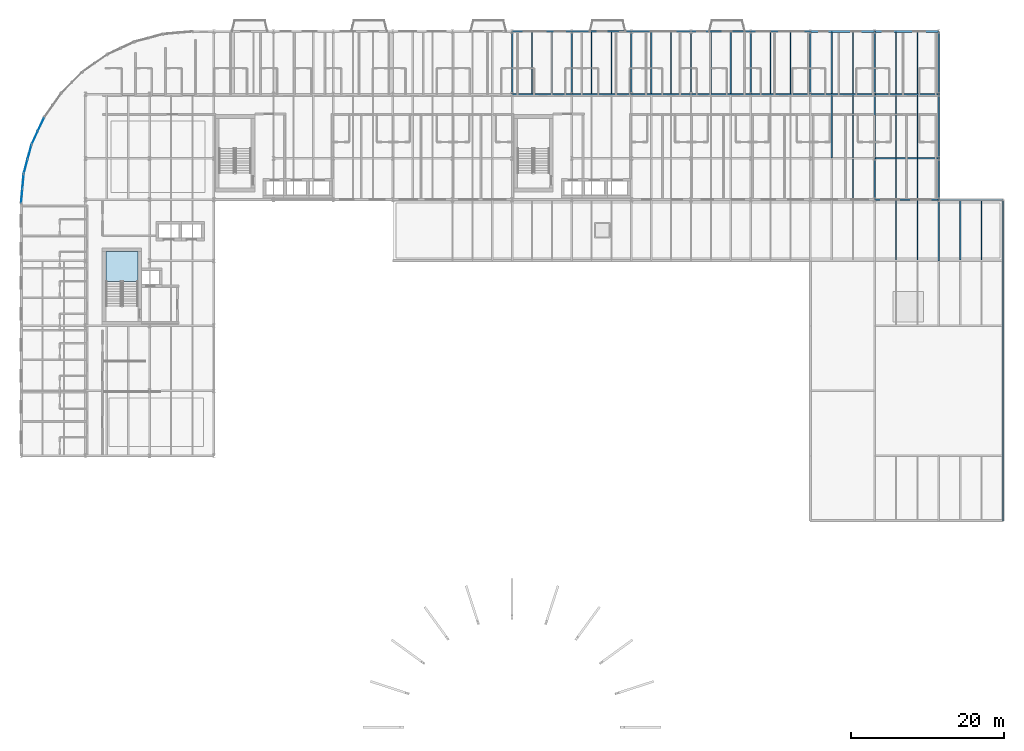
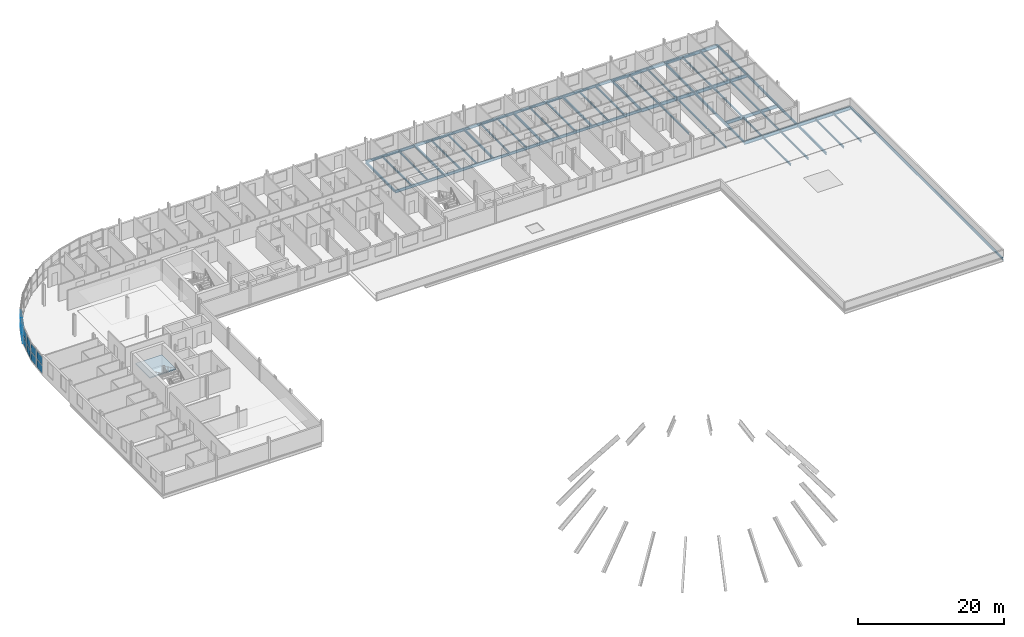
# One storey, part 14 of 36: 60 beams, 12 plates, 1 slab, 4 elements without a shape of their own.
"""IFC4 building model written with IfcOpenShell, lengths in metres."""

from ifc_helpers import new_model, si_unit, direction, frame, origin, origin_2d, place, context, subcontext, project, spatial, polyline, rectangle, i_section, outline, extrude, material, layer, layer_set, material_profile, profile_set, type_object, element, aggregate, save


model = new_model("IFC4")

# Units and contexts
model_context = context("Model", 3, precision=1e-05, world=origin(), true_north=direction((0.0, 1.0)))
body_context = subcontext(model_context, "Body", "Model", "MODEL_VIEW")
ifc_project = project(units=[si_unit("LENGTHUNIT", "METRE"), si_unit("AREAUNIT", "SQUARE_METRE"), si_unit("VOLUMEUNIT", "CUBIC_METRE"), si_unit("PLANEANGLEUNIT", "RADIAN"), si_unit("MASSUNIT", "GRAM", prefix="KILO")], contexts=[model_context])

# Site, building, storey
site_placement = place(None, origin())
site = spatial("IfcSite", under=ifc_project, at=site_placement, CompositionType="ELEMENT")
building_placement = place(site_placement, origin())
building = spatial("IfcBuilding", under=site, at=building_placement, Name="Sefraquen Railside Congress Hotel", CompositionType="ELEMENT")
storey_placement = place(building_placement, frame((0.0, 0.0, 24.60009765625)))
storey = spatial("IfcBuildingStorey", under=building, at=storey_placement, Name="L05", CompositionType="ELEMENT", Elevation=24.60009765625)

# Beams
ifc_material_1 = material(Name="Steel S355JR", Category="steel")
ifc_material_profile_1 = material_profile(ifc_material_1, i_section(OverallWidth=0.179931640625, OverallDepth=0.39990234375, WebThickness=0.008544921875, FlangeThickness=0.013427734375, FilletRadius=0.02099609375, at=origin_2d()), Name="IPE 400")
ifc_profile_set_1 = profile_set([ifc_material_profile_1], Name="Steel S355JR")
beam_type_1 = type_object("IfcBeamType", Name="TB-BM-400I", PredefinedType="BEAM", material=ifc_profile_set_1)
for number, where, z_axis, x_axis, name in (
    (1, (64.199951171875, 109.800048828125, -0.460205078125), (0.0, 1.0, 0.0), (-1.0, 0.0, 0.0), "Floor beam BM-L05-1542"),
    (2, (72.0, 109.800048828125, -0.460205078125), (0.0, 1.0, 0.0), (-1.0, 0.0, 0.0), "Floor beam BM-L05-1546"),
    (3, (79.800048828125, 109.800048828125, -0.460205078125), (0.0, 1.0, 0.0), (-1.0, 0.0, 0.0), "Floor beam BM-L05-1550"),
    (4, (87.60009765625, 109.800048828125, -0.460205078125), (0.0, 1.0, 0.0), (-1.0, 0.0, 0.0), "Floor beam BM-L05-1554"),
    (5, (95.39990234375, 109.800048828125, -0.460205078125), (0.0, 1.0, 0.0), (-1.0, 0.0, 0.0), "Floor beam BM-L05-1558"),
    (6, (103.199951171875, 109.800048828125, -0.460205078125), (0.0, 1.0, 0.0), (-1.0, 0.0, 0.0), "Floor beam BM-L05-1566"),
):
    element("IfcBeam", number, at=place(storey_placement, frame(where, z_axis=z_axis, x_axis=x_axis)), inside=storey, type_object=beam_type_1, Name=name, PredefinedType="BEAM", context=body_context, shape_type="SweptSolid", body=[
        extrude(i_section(OverallWidth=0.179931640625, OverallDepth=0.39990234375, WebThickness=0.008544921875, FlangeThickness=0.013427734375, FilletRadius=0.02099609375, at=origin_2d()), origin(), (0.0, 0.0, 1.0), 8.199951171875),
    ])
beam_1_placement = place(storey_placement, frame((111.60009765625, 96.0, -0.460205078125), z_axis=(0.0, 1.0, 0.0), x_axis=(-1.0, 0.0, 0.0)))
element("IfcBeam", 7, at=beam_1_placement, inside=storey, type_object=beam_type_1, Name="Floor beam BM-L05-1572", PredefinedType="BEAM", context=body_context, shape_type="SweptSolid", body=[
    extrude(i_section(OverallWidth=0.179931640625, OverallDepth=0.39990234375, WebThickness=0.008544921875, FlangeThickness=0.013427734375, FilletRadius=0.02099609375, at=origin_2d()), origin(), (0.0, 0.0, 1.0), 5.39990234375),
])
beam_2_placement = place(storey_placement, frame((111.60009765625, 101.39990234375, -0.460205078125), z_axis=(0.0, 1.0, 0.0), x_axis=(-1.0, 0.0, 0.0)))
element("IfcBeam", 8, at=beam_2_placement, inside=storey, type_object=beam_type_1, Name="Floor beam BM-L05-1573", PredefinedType="BEAM", context=body_context, shape_type="SweptSolid", body=[
    extrude(i_section(OverallWidth=0.179931640625, OverallDepth=0.39990234375, WebThickness=0.008544921875, FlangeThickness=0.013427734375, FilletRadius=0.02099609375, at=origin_2d()), origin(), (0.0, 0.0, 1.0), 8.400146484375),
])
beam_3_placement = place(storey_placement, frame((111.60009765625, 109.800048828125, -0.460205078125), z_axis=(0.0, 1.0, 0.0), x_axis=(-1.0, 0.0, 0.0)))
element("IfcBeam", 9, at=beam_3_placement, inside=storey, type_object=beam_type_1, Name="Floor beam BM-L05-1574", PredefinedType="BEAM", context=body_context, shape_type="SweptSolid", body=[
    extrude(i_section(OverallWidth=0.179931640625, OverallDepth=0.39990234375, WebThickness=0.008544921875, FlangeThickness=0.013427734375, FilletRadius=0.02099609375, at=origin_2d()), origin(), (0.0, 0.0, 1.0), 8.199951171875),
])
beam_4_placement = place(storey_placement, frame((120.0, 88.0, -0.460205078125), z_axis=(0.0, 1.0, 0.0), x_axis=(-1.0, 0.0, 0.0)))
element("IfcBeam", 10, at=beam_4_placement, inside=storey, type_object=beam_type_1, Name="Floor beam BM-L05-1577", PredefinedType="BEAM", context=body_context, shape_type="SweptSolid", body=[
    extrude(i_section(OverallWidth=0.179931640625, OverallDepth=0.39990234375, WebThickness=0.008544921875, FlangeThickness=0.013427734375, FilletRadius=0.02099609375, at=origin_2d()), origin(), (0.0, 0.0, 1.0), 8.0),
])
beam_5_placement = place(storey_placement, frame((120.0, 96.0, -0.460205078125), z_axis=(0.0, 1.0, 0.0), x_axis=(-1.0, 0.0, 0.0)))
element("IfcBeam", 11, at=beam_5_placement, inside=storey, type_object=beam_type_1, Name="Floor beam BM-L05-1578", PredefinedType="BEAM", context=body_context, shape_type="SweptSolid", body=[
    extrude(i_section(OverallWidth=0.179931640625, OverallDepth=0.39990234375, WebThickness=0.008544921875, FlangeThickness=0.013427734375, FilletRadius=0.02099609375, at=origin_2d()), origin(), (0.0, 0.0, 1.0), 5.39990234375),
])
beam_6_placement = place(storey_placement, frame((120.0, 101.39990234375, -0.460205078125), z_axis=(0.0, 1.0, 0.0), x_axis=(-1.0, 0.0, 0.0)))
element("IfcBeam", 12, at=beam_6_placement, inside=storey, type_object=beam_type_1, Name="Floor beam BM-L05-1579", PredefinedType="BEAM", context=body_context, shape_type="SweptSolid", body=[
    extrude(i_section(OverallWidth=0.179931640625, OverallDepth=0.39990234375, WebThickness=0.008544921875, FlangeThickness=0.013427734375, FilletRadius=0.02099609375, at=origin_2d()), origin(), (0.0, 0.0, 1.0), 8.400146484375),
])
beam_7_placement = place(storey_placement, frame((120.0, 109.800048828125, -0.460205078125), z_axis=(0.0, 1.0, 0.0), x_axis=(-1.0, 0.0, 0.0)))
element("IfcBeam", 13, at=beam_7_placement, inside=storey, type_object=beam_type_1, Name="Floor beam BM-L05-1580", PredefinedType="BEAM", context=body_context, shape_type="SweptSolid", body=[
    extrude(i_section(OverallWidth=0.179931640625, OverallDepth=0.39990234375, WebThickness=0.008544921875, FlangeThickness=0.013427734375, FilletRadius=0.02099609375, at=origin_2d()), origin(), (0.0, 0.0, 1.0), 8.199951171875),
])
for number, where, z_axis, x_axis, name in (
    (14, (128.39990234375, 54.0, -0.460205078125), (0.0, 1.0, 0.0), (-1.0, 0.0, 0.0), "Floor beam BM-L05-1581"),
    (15, (128.39990234375, 62.5, -0.460205078125), (0.0, 1.0, 0.0), (-1.0, 0.0, 0.0), "Floor beam BM-L05-1582"),
    (16, (128.39990234375, 71.0, -0.460205078125), (0.0, 1.0, 0.0), (-1.0, 0.0, 0.0), "Floor beam BM-L05-1583"),
    (17, (128.39990234375, 79.5, -0.460205078125), (0.0, 1.0, 0.0), (-1.0, 0.0, 0.0), "Floor beam BM-L05-1584"),
):
    element("IfcBeam", number, at=place(storey_placement, frame(where, z_axis=z_axis, x_axis=x_axis)), inside=storey, type_object=beam_type_1, Name=name, PredefinedType="BEAM", context=body_context, shape_type="SweptSolid", body=[
        extrude(i_section(OverallWidth=0.179931640625, OverallDepth=0.39990234375, WebThickness=0.008544921875, FlangeThickness=0.013427734375, FilletRadius=0.02099609375, at=origin_2d()), origin(), (0.0, 0.0, 1.0), 8.5),
    ])
beam_8_placement = place(storey_placement, frame((128.39990234375, 88.0, -0.460205078125), z_axis=(0.0, 1.0, 0.0), x_axis=(-1.0, 0.0, 0.0)))
element("IfcBeam", 18, at=beam_8_placement, inside=storey, type_object=beam_type_1, Name="Floor beam BM-L05-1585", PredefinedType="BEAM", context=body_context, shape_type="SweptSolid", body=[
    extrude(i_section(OverallWidth=0.179931640625, OverallDepth=0.39990234375, WebThickness=0.008544921875, FlangeThickness=0.013427734375, FilletRadius=0.02099609375, at=origin_2d()), origin(), (0.0, 0.0, 1.0), 8.0),
])
ifc_material_profile_2 = material_profile(ifc_material_1, i_section(OverallWidth=0.18994140625, OverallDepth=0.449951171875, WebThickness=0.009521484375, FlangeThickness=0.0146484375, FilletRadius=0.02099609375, at=origin_2d()), Name="IPE 450")
ifc_profile_set_2 = profile_set([ifc_material_profile_2], Name="Steel S355JR")
beam_type_2 = type_object("IfcBeamType", Name="TB-BM-450", PredefinedType="BEAM", material=ifc_profile_set_2)
for number, where, z_axis, x_axis, name in (
    (19, (64.199951171875, 109.800048828125, -0.485107421875), (1.0, 0.0, 0.0), (0.0, 1.0, 0.0), "Primary girder BM-L05-1485"),
    (20, (72.0, 109.800048828125, -0.485107421875), (1.0, 0.0, 0.0), (0.0, 1.0, 0.0), "Primary girder BM-L05-1486"),
    (21, (79.800048828125, 109.800048828125, -0.485107421875), (1.0, 0.0, 0.0), (0.0, 1.0, 0.0), "Primary girder BM-L05-1487"),
):
    element("IfcBeam", number, at=place(storey_placement, frame(where, z_axis=z_axis, x_axis=x_axis)), inside=storey, type_object=beam_type_2, Name=name, PredefinedType="BEAM", context=body_context, shape_type="SweptSolid", body=[
        extrude(i_section(OverallWidth=0.18994140625, OverallDepth=0.449951171875, WebThickness=0.009521484375, FlangeThickness=0.0146484375, FilletRadius=0.02099609375, at=origin_2d()), origin(), (0.0, 0.0, 1.0), 7.800048828125),
    ])
beam_9_placement = place(storey_placement, frame((87.60009765625, 109.800048828125, -0.485107421875), z_axis=(1.0, 0.0, 0.0), x_axis=(0.0, 1.0, 0.0)))
element("IfcBeam", 22, at=beam_9_placement, inside=storey, type_object=beam_type_2, Name="Primary girder BM-L05-1488", PredefinedType="BEAM", context=body_context, shape_type="SweptSolid", body=[
    extrude(i_section(OverallWidth=0.18994140625, OverallDepth=0.449951171875, WebThickness=0.009521484375, FlangeThickness=0.0146484375, FilletRadius=0.02099609375, at=origin_2d()), origin(), (0.0, 0.0, 1.0), 7.7998046875),
])
for number, where, z_axis, x_axis, name in (
    (23, (95.39990234375, 109.800048828125, -0.485107421875), (1.0, 0.0, 0.0), (0.0, 1.0, 0.0), "Primary girder BM-L05-1489"),
    (24, (64.199951171875, 118.0, -0.485107421875), (1.0, 0.0, 0.0), (0.0, 1.0, 0.0), "Primary girder BM-L05-1497"),
    (25, (72.0, 118.0, -0.485107421875), (1.0, 0.0, 0.0), (0.0, 1.0, 0.0), "Primary girder BM-L05-1498"),
    (26, (79.800048828125, 118.0, -0.485107421875), (1.0, 0.0, 0.0), (0.0, 1.0, 0.0), "Primary girder BM-L05-1499"),
):
    element("IfcBeam", number, at=place(storey_placement, frame(where, z_axis=z_axis, x_axis=x_axis)), inside=storey, type_object=beam_type_2, Name=name, PredefinedType="BEAM", context=body_context, shape_type="SweptSolid", body=[
        extrude(i_section(OverallWidth=0.18994140625, OverallDepth=0.449951171875, WebThickness=0.009521484375, FlangeThickness=0.0146484375, FilletRadius=0.02099609375, at=origin_2d()), origin(), (0.0, 0.0, 1.0), 7.800048828125),
    ])
beam_10_placement = place(storey_placement, frame((87.60009765625, 118.0, -0.485107421875), z_axis=(1.0, 0.0, 0.0), x_axis=(0.0, 1.0, 0.0)))
element("IfcBeam", 27, at=beam_10_placement, inside=storey, type_object=beam_type_2, Name="Primary girder BM-L05-1500", PredefinedType="BEAM", context=body_context, shape_type="SweptSolid", body=[
    extrude(i_section(OverallWidth=0.18994140625, OverallDepth=0.449951171875, WebThickness=0.009521484375, FlangeThickness=0.0146484375, FilletRadius=0.02099609375, at=origin_2d()), origin(), (0.0, 0.0, 1.0), 7.7998046875),
])
beam_11_placement = place(storey_placement, frame((95.39990234375, 118.0, -0.485107421875), z_axis=(1.0, 0.0, 0.0), x_axis=(0.0, 1.0, 0.0)))
element("IfcBeam", 28, at=beam_11_placement, inside=storey, type_object=beam_type_2, Name="Primary girder BM-L05-1501", PredefinedType="BEAM", context=body_context, shape_type="SweptSolid", body=[
    extrude(i_section(OverallWidth=0.18994140625, OverallDepth=0.449951171875, WebThickness=0.009521484375, FlangeThickness=0.0146484375, FilletRadius=0.02099609375, at=origin_2d()), origin(), (0.0, 0.0, 1.0), 7.800048828125),
])
ifc_material_profile_3 = material_profile(ifc_material_1, i_section(OverallWidth=0.2099609375, OverallDepth=0.550048828125, WebThickness=0.010986328125, FlangeThickness=0.01708984375, FilletRadius=0.02392578125, at=origin_2d()), Name="IPE 550")
ifc_profile_set_3 = profile_set([ifc_material_profile_3], Name="Steel S355JR")
beam_type_3 = type_object("IfcBeamType", Name="TB-GIR-550", PredefinedType="T_BEAM", material=ifc_profile_set_3)
for number, where, z_axis, x_axis, name in (
    (29, (111.60009765625, 96.0, -0.53515625), (1.0, 0.0, 0.0), (0.0, 1.0, 0.0), "Primary girder BM-L05-1464"),
    (30, (120.0, 96.0, -0.53515625), (1.0, 0.0, 0.0), (0.0, 1.0, 0.0), "Primary girder BM-L05-1465"),
    (31, (111.60009765625, 101.39990234375, -0.53515625), (1.0, 0.0, 0.0), (0.0, 1.0, 0.0), "Primary girder BM-L05-1477"),
):
    element("IfcBeam", number, at=place(storey_placement, frame(where, z_axis=z_axis, x_axis=x_axis)), inside=storey, type_object=beam_type_3, Name=name, PredefinedType="T_BEAM", context=body_context, shape_type="SweptSolid", body=[
        extrude(i_section(OverallWidth=0.2099609375, OverallDepth=0.550048828125, WebThickness=0.010986328125, FlangeThickness=0.01708984375, FilletRadius=0.02392578125, at=origin_2d()), origin(), (0.0, 0.0, 1.0), 8.39990234375),
    ])
beam_12_placement = place(storey_placement, frame((103.199951171875, 109.800048828125, -0.53515625), z_axis=(1.0, 0.0, 0.0), x_axis=(0.0, 1.0, 0.0)))
element("IfcBeam", 32, at=beam_12_placement, inside=storey, type_object=beam_type_3, Name="Primary girder BM-L05-1490", PredefinedType="T_BEAM", context=body_context, shape_type="SweptSolid", body=[
    extrude(i_section(OverallWidth=0.2099609375, OverallDepth=0.550048828125, WebThickness=0.010986328125, FlangeThickness=0.01708984375, FilletRadius=0.02392578125, at=origin_2d()), origin(), (0.0, 0.0, 1.0), 8.400146484375),
])
beam_13_placement = place(storey_placement, frame((111.60009765625, 109.800048828125, -0.53515625), z_axis=(1.0, 0.0, 0.0), x_axis=(0.0, 1.0, 0.0)))
element("IfcBeam", 33, at=beam_13_placement, inside=storey, type_object=beam_type_3, Name="Primary girder BM-L05-1491", PredefinedType="T_BEAM", context=body_context, shape_type="SweptSolid", body=[
    extrude(i_section(OverallWidth=0.2099609375, OverallDepth=0.550048828125, WebThickness=0.010986328125, FlangeThickness=0.01708984375, FilletRadius=0.02392578125, at=origin_2d()), origin(), (0.0, 0.0, 1.0), 8.39990234375),
])
beam_14_placement = place(storey_placement, frame((103.199951171875, 118.0, -0.53515625), z_axis=(1.0, 0.0, 0.0), x_axis=(0.0, 1.0, 0.0)))
element("IfcBeam", 34, at=beam_14_placement, inside=storey, type_object=beam_type_3, Name="Primary girder BM-L05-1502", PredefinedType="T_BEAM", context=body_context, shape_type="SweptSolid", body=[
    extrude(i_section(OverallWidth=0.2099609375, OverallDepth=0.550048828125, WebThickness=0.010986328125, FlangeThickness=0.01708984375, FilletRadius=0.02392578125, at=origin_2d()), origin(), (0.0, 0.0, 1.0), 8.400146484375),
])
beam_15_placement = place(storey_placement, frame((111.60009765625, 118.0, -0.53515625), z_axis=(1.0, 0.0, 0.0), x_axis=(0.0, 1.0, 0.0)))
element("IfcBeam", 35, at=beam_15_placement, inside=storey, type_object=beam_type_3, Name="Primary girder BM-L05-1503", PredefinedType="T_BEAM", context=body_context, shape_type="SweptSolid", body=[
    extrude(i_section(OverallWidth=0.2099609375, OverallDepth=0.550048828125, WebThickness=0.010986328125, FlangeThickness=0.01708984375, FilletRadius=0.02392578125, at=origin_2d()), origin(), (0.0, 0.0, 1.0), 8.39990234375),
])
ifc_material_profile_4 = material_profile(ifc_material_1, i_section(OverallWidth=0.14990234375, OverallDepth=0.300048828125, WebThickness=0.007080078125, FlangeThickness=0.0107421875, FilletRadius=0.014892578125, at=origin_2d()), Name="IPE 300")
ifc_profile_set_4 = profile_set([ifc_material_profile_4], Name="Steel S355JR")
beam_type_4 = type_object("IfcBeamType", Name="TB-JST-300", PredefinedType="JOIST", material=ifc_profile_set_4)
for number, where, z_axis, x_axis, name in (
    (36, (66.800048828125, 109.875, -0.41015625), (0.0, 1.0, 0.0), (-1.0, 0.0, 0.0), "Composite floor joist BM-L05-J0994"),
    (37, (69.39990234375, 109.875, -0.41015625), (0.0, 1.0, 0.0), (-1.0, 0.0, 0.0), "Composite floor joist BM-L05-J0995"),
    (38, (74.60009765625, 109.875, -0.41015625), (0.0, 1.0, 0.0), (-1.0, 0.0, 0.0), "Composite floor joist BM-L05-J1002"),
    (39, (77.199951171875, 109.875, -0.41015625), (0.0, 1.0, 0.0), (-1.0, 0.0, 0.0), "Composite floor joist BM-L05-J1003"),
    (40, (82.39990234375, 109.875, -0.41015625), (0.0, 1.0, 0.0), (-1.0, 0.0, 0.0), "Composite floor joist BM-L05-J1010"),
    (41, (85.0, 109.875, -0.41015625), (0.0, 1.0, 0.0), (-1.0, 0.0, 0.0), "Composite floor joist BM-L05-J1011"),
    (42, (90.199951171875, 109.875, -0.41015625), (0.0, 1.0, 0.0), (-1.0, 0.0, 0.0), "Composite floor joist BM-L05-J1018"),
    (43, (92.800048828125, 109.875, -0.41015625), (0.0, 1.0, 0.0), (-1.0, 0.0, 0.0), "Composite floor joist BM-L05-J1019"),
    (44, (98.0, 109.875, -0.41015625), (0.0, 1.0, 0.0), (-1.0, 0.0, 0.0), "Composite floor joist BM-L05-J1026"),
    (45, (100.60009765625, 109.875, -0.41015625), (0.0, 1.0, 0.0), (-1.0, 0.0, 0.0), "Composite floor joist BM-L05-J1027"),
):
    element("IfcBeam", number, at=place(storey_placement, frame(where, z_axis=z_axis, x_axis=x_axis)), inside=storey, type_object=beam_type_4, Name=name, PredefinedType="JOIST", context=body_context, shape_type="SweptSolid", body=[
        extrude(i_section(OverallWidth=0.14990234375, OverallDepth=0.300048828125, WebThickness=0.007080078125, FlangeThickness=0.0107421875, FilletRadius=0.014892578125, at=origin_2d()), origin(), (0.0, 0.0, 1.0), 8.050048828125),
    ])
beam_16_placement = place(storey_placement, frame((108.800048828125, 96.0849609375, -0.41015625), z_axis=(0.0, 1.0, 0.0), x_axis=(-1.0, 0.0, 0.0)))
element("IfcBeam", 46, at=beam_16_placement, inside=storey, type_object=beam_type_4, Name="Composite floor joist BM-L05-J1031", PredefinedType="JOIST", context=body_context, shape_type="SweptSolid", body=[
    extrude(i_section(OverallWidth=0.14990234375, OverallDepth=0.300048828125, WebThickness=0.007080078125, FlangeThickness=0.0107421875, FilletRadius=0.014892578125, at=origin_2d()), origin(), (0.0, 0.0, 1.0), 5.22998046875),
])
for number, where, z_axis, x_axis, name in (
    (47, (106.0, 101.485107421875, -0.41015625), (0.0, 1.0, 0.0), (-1.0, 0.0, 0.0), "Composite floor joist BM-L05-J1032"),
    (48, (108.800048828125, 101.485107421875, -0.41015625), (0.0, 1.0, 0.0), (-1.0, 0.0, 0.0), "Composite floor joist BM-L05-J1033"),
):
    element("IfcBeam", number, at=place(storey_placement, frame(where, z_axis=z_axis, x_axis=x_axis)), inside=storey, type_object=beam_type_4, Name=name, PredefinedType="JOIST", context=body_context, shape_type="SweptSolid", body=[
        extrude(i_section(OverallWidth=0.14990234375, OverallDepth=0.300048828125, WebThickness=0.007080078125, FlangeThickness=0.0107421875, FilletRadius=0.014892578125, at=origin_2d()), origin(), (0.0, 0.0, 1.0), 8.22998046875),
    ])
for number, where, z_axis, x_axis, name in (
    (49, (106.0, 109.885009765625, -0.41015625), (0.0, 1.0, 0.0), (-1.0, 0.0, 0.0), "Composite floor joist BM-L05-J1034"),
    (50, (108.800048828125, 109.885009765625, -0.41015625), (0.0, 1.0, 0.0), (-1.0, 0.0, 0.0), "Composite floor joist BM-L05-J1035"),
):
    element("IfcBeam", number, at=place(storey_placement, frame(where, z_axis=z_axis, x_axis=x_axis)), inside=storey, type_object=beam_type_4, Name=name, PredefinedType="JOIST", context=body_context, shape_type="SweptSolid", body=[
        extrude(i_section(OverallWidth=0.14990234375, OverallDepth=0.300048828125, WebThickness=0.007080078125, FlangeThickness=0.0107421875, FilletRadius=0.014892578125, at=origin_2d()), origin(), (0.0, 0.0, 1.0), 8.030029296875),
    ])
for number, where, z_axis, x_axis, name in (
    (51, (114.39990234375, 88.0849609375, -0.41015625), (0.0, 1.0, 0.0), (-1.0, 0.0, 0.0), "Composite floor joist BM-L05-J1040"),
    (52, (117.199951171875, 88.0849609375, -0.41015625), (0.0, 1.0, 0.0), (-1.0, 0.0, 0.0), "Composite floor joist BM-L05-J1041"),
):
    element("IfcBeam", number, at=place(storey_placement, frame(where, z_axis=z_axis, x_axis=x_axis)), inside=storey, type_object=beam_type_4, Name=name, PredefinedType="JOIST", context=body_context, shape_type="SweptSolid", body=[
        extrude(i_section(OverallWidth=0.14990234375, OverallDepth=0.300048828125, WebThickness=0.007080078125, FlangeThickness=0.0107421875, FilletRadius=0.014892578125, at=origin_2d()), origin(), (0.0, 0.0, 1.0), 7.830078125),
    ])
for number, where, z_axis, x_axis, name in (
    (53, (114.39990234375, 96.0849609375, -0.41015625), (0.0, 1.0, 0.0), (-1.0, 0.0, 0.0), "Composite floor joist BM-L05-J1042"),
    (54, (117.199951171875, 96.0849609375, -0.41015625), (0.0, 1.0, 0.0), (-1.0, 0.0, 0.0), "Composite floor joist BM-L05-J1043"),
):
    element("IfcBeam", number, at=place(storey_placement, frame(where, z_axis=z_axis, x_axis=x_axis)), inside=storey, type_object=beam_type_4, Name=name, PredefinedType="JOIST", context=body_context, shape_type="SweptSolid", body=[
        extrude(i_section(OverallWidth=0.14990234375, OverallDepth=0.300048828125, WebThickness=0.007080078125, FlangeThickness=0.0107421875, FilletRadius=0.014892578125, at=origin_2d()), origin(), (0.0, 0.0, 1.0), 5.22998046875),
    ])
for number, where, z_axis, x_axis, name in (
    (55, (114.39990234375, 101.485107421875, -0.41015625), (0.0, 1.0, 0.0), (-1.0, 0.0, 0.0), "Composite floor joist BM-L05-J1044"),
    (56, (117.199951171875, 101.485107421875, -0.41015625), (0.0, 1.0, 0.0), (-1.0, 0.0, 0.0), "Composite floor joist BM-L05-J1045"),
):
    element("IfcBeam", number, at=place(storey_placement, frame(where, z_axis=z_axis, x_axis=x_axis)), inside=storey, type_object=beam_type_4, Name=name, PredefinedType="JOIST", context=body_context, shape_type="SweptSolid", body=[
        extrude(i_section(OverallWidth=0.14990234375, OverallDepth=0.300048828125, WebThickness=0.007080078125, FlangeThickness=0.0107421875, FilletRadius=0.014892578125, at=origin_2d()), origin(), (0.0, 0.0, 1.0), 8.22998046875),
    ])
for number, where, z_axis, x_axis, name in (
    (57, (114.39990234375, 109.885009765625, -0.41015625), (0.0, 1.0, 0.0), (-1.0, 0.0, 0.0), "Composite floor joist BM-L05-J1046"),
    (58, (117.199951171875, 109.885009765625, -0.41015625), (0.0, 1.0, 0.0), (-1.0, 0.0, 0.0), "Composite floor joist BM-L05-J1047"),
):
    element("IfcBeam", number, at=place(storey_placement, frame(where, z_axis=z_axis, x_axis=x_axis)), inside=storey, type_object=beam_type_4, Name=name, PredefinedType="JOIST", context=body_context, shape_type="SweptSolid", body=[
        extrude(i_section(OverallWidth=0.14990234375, OverallDepth=0.300048828125, WebThickness=0.007080078125, FlangeThickness=0.0107421875, FilletRadius=0.014892578125, at=origin_2d()), origin(), (0.0, 0.0, 1.0), 8.030029296875),
    ])
for number, where, z_axis, x_axis, name in (
    (59, (122.800048828125, 88.0849609375, -0.41015625), (0.0, 1.0, 0.0), (-1.0, 0.0, 0.0), "Composite floor joist BM-L05-J1052"),
    (60, (125.60009765625, 88.0849609375, -0.41015625), (0.0, 1.0, 0.0), (-1.0, 0.0, 0.0), "Composite floor joist BM-L05-J1053"),
):
    element("IfcBeam", number, at=place(storey_placement, frame(where, z_axis=z_axis, x_axis=x_axis)), inside=storey, type_object=beam_type_4, Name=name, PredefinedType="JOIST", context=body_context, shape_type="SweptSolid", body=[
        extrude(i_section(OverallWidth=0.14990234375, OverallDepth=0.300048828125, WebThickness=0.007080078125, FlangeThickness=0.0107421875, FilletRadius=0.014892578125, at=origin_2d()), origin(), (0.0, 0.0, 1.0), 7.830078125),
    ])

# Curtain wall, plates
ifc_material_2 = material(Name="Thermally broken anodised aluminium and low-E double glazing", Category="aluminium")
ifc_layer_1 = layer(ifc_material_2, 0.199951171875)
ifc_layer_set_1 = layer_set([ifc_layer_1], Name="Thermally broken anodised aluminium and low-E double glazing")
curtain_wall_type_1 = type_object("IfcCurtainWallType", Name="TCW-UCW-20", PredefinedType="USERDEFINED", material=ifc_layer_set_1)
curtain_wall_1_placement = place(storey_placement, origin())
curtain_wall_1 = element("IfcCurtainWall", 61, at=curtain_wall_1_placement, inside=storey, type_object=curtain_wall_type_1, Name="Rotunda L05 curved curtain wall facet 7", ObjectType="UNITISED CURTAIN WALL", PredefinedType="USERDEFINED")
ifc_material_3 = material(Name="Solar-control low-E double glazing", Category="glass")
ifc_layer_2 = layer(ifc_material_3, 0.02392578125)
ifc_layer_set_2 = layer_set([ifc_layer_2], Name="Solar-control low-E double glazing")
plate_type_1 = type_object("IfcPlateType", Name="TP-CWP-01", PredefinedType="CURTAIN_PANEL", material=ifc_layer_set_2)
plate_1_placement = place(storey_placement, frame((2.591552734375, 105.84326171875, 0.0400390625), z_axis=(0.0, 0.0, 1.0), x_axis=(-0.422634079731, -0.906300410818, 0.0)))
plate_1 = element("IfcPlate", 62, at=plate_1_placement, type_object=plate_type_1, Name="CW-L05-ROT-07 panel 1.1", PredefinedType="CURTAIN_PANEL", context=body_context, shape_type="SweptSolid", body=[
    extrude(rectangle(XDim=1.830810546875, YDim=0.02392578125, at=origin_2d()), origin(), (0.0, 0.0, 1.0), 1.364990234375),
])
plate_2_placement = place(storey_placement, frame((1.77978515625, 104.102294921875, 0.0400390625), z_axis=(0.0, 0.0, 1.0), x_axis=(-0.422634079731, -0.906300410818, 0.0)))
plate_2 = element("IfcPlate", 63, at=plate_2_placement, type_object=plate_type_1, Name="CW-L05-ROT-07 panel 1.2", PredefinedType="CURTAIN_PANEL", context=body_context, shape_type="SweptSolid", body=[
    extrude(rectangle(XDim=1.830810546875, YDim=0.02392578125, at=origin_2d()), origin(), (0.0, 0.0, 1.0), 1.364990234375),
])

ifc_layer_3 = layer(ifc_material_2, 0.199951171875)
ifc_layer_set_3 = layer_set([ifc_layer_3], Name="Thermally broken anodised aluminium and low-E double glazing")
curtain_wall_type_2 = type_object("IfcCurtainWallType", Name="TCW-UCW-21", PredefinedType="USERDEFINED", material=ifc_layer_set_3)
curtain_wall_2_placement = place(storey_placement, origin())
curtain_wall_2 = element("IfcCurtainWall", 64, at=curtain_wall_2_placement, inside=storey, type_object=curtain_wall_type_2, Name="Rotunda L05 curved curtain wall facet 8", ObjectType="UNITISED CURTAIN WALL", PredefinedType="USERDEFINED")
plate_3_placement = place(storey_placement, frame((1.097900390625, 102.22900390625, 0.0400390625), z_axis=(0.0, 0.0, 1.0), x_axis=(-0.258785327773, -0.96593486019, 0.0)))
plate_3 = element("IfcPlate", 65, at=plate_3_placement, type_object=plate_type_1, Name="CW-L05-ROT-08 panel 1.1", PredefinedType="CURTAIN_PANEL", context=body_context, shape_type="SweptSolid", body=[
    extrude(rectangle(XDim=1.8310546875, YDim=0.02392578125, at=origin_2d()), origin(), (0.0, 0.0, 1.0), 1.364990234375),
])
plate_4_placement = place(storey_placement, frame((0.6005859375, 100.37353515625, 0.0400390625), z_axis=(0.0, 0.0, 1.0), x_axis=(-0.258785327773, -0.96593486019, 0.0)))
plate_4 = element("IfcPlate", 66, at=plate_4_placement, type_object=plate_type_1, Name="CW-L05-ROT-08 panel 1.2", PredefinedType="CURTAIN_PANEL", context=body_context, shape_type="SweptSolid", body=[
    extrude(rectangle(XDim=1.8310546875, YDim=0.02392578125, at=origin_2d()), origin(), (0.0, 0.0, 1.0), 1.364990234375),
])

ifc_layer_4 = layer(ifc_material_2, 0.199951171875)
ifc_layer_set_4 = layer_set([ifc_layer_4], Name="Thermally broken anodised aluminium and low-E double glazing")
curtain_wall_type_3 = type_object("IfcCurtainWallType", Name="TCW-UCW-22", PredefinedType="USERDEFINED", material=ifc_layer_set_4)
curtain_wall_3_placement = place(storey_placement, origin())
curtain_wall_3 = element("IfcCurtainWall", 67, at=curtain_wall_3_placement, inside=storey, type_object=curtain_wall_type_3, Name="Rotunda L05 curved curtain wall facet 9", ObjectType="UNITISED CURTAIN WALL", PredefinedType="USERDEFINED")
plate_5_placement = place(storey_placement, frame((0.254638671875, 98.410400390625, 0.0400390625), z_axis=(0.0, 0.0, 1.0), x_axis=(-0.087138355857, -0.996196219095, 0.0)))
plate_5 = element("IfcPlate", 68, at=plate_5_placement, type_object=plate_type_1, Name="CW-L05-ROT-09 panel 1.1", PredefinedType="CURTAIN_PANEL", context=body_context, shape_type="SweptSolid", body=[
    extrude(rectangle(XDim=1.8310546875, YDim=0.02392578125, at=origin_2d()), origin(), (0.0, 0.0, 1.0), 1.364990234375),
])
plate_6_placement = place(storey_placement, frame((0.087158203125, 96.49658203125, 0.0400390625), z_axis=(0.0, 0.0, 1.0), x_axis=(-0.087138355857, -0.996196219095, 0.0)))
plate_6 = element("IfcPlate", 69, at=plate_6_placement, type_object=plate_type_1, Name="CW-L05-ROT-09 panel 1.2", PredefinedType="CURTAIN_PANEL", context=body_context, shape_type="SweptSolid", body=[
    extrude(rectangle(XDim=1.8310546875, YDim=0.02392578125, at=origin_2d()), origin(), (0.0, 0.0, 1.0), 1.364990234375),
])

# Plate
ifc_material_4 = material(Name="Triple acoustic solar-control glazing", Category="glass")
ifc_layer_5 = layer(ifc_material_4, 0.031982421875)
ifc_layer_set_5 = layer_set([ifc_layer_5], Name="Triple acoustic solar-control glazing")
plate_type_2 = type_object("IfcPlateType", Name="TP-CWP-02", PredefinedType="CURTAIN_PANEL", material=ifc_layer_set_5)
plate_7_placement = place(storey_placement, frame((2.591552734375, 105.84326171875, 1.48486328125), z_axis=(0.0, 0.0, 1.0), x_axis=(-0.422634079731, -0.906300410818, 0.0)))
plate_7 = element("IfcPlate", 70, at=plate_7_placement, type_object=plate_type_2, Name="CW-L05-ROT-07 panel 2.1", PredefinedType="CURTAIN_PANEL", context=body_context, shape_type="SweptSolid", body=[
    extrude(rectangle(XDim=1.830810546875, YDim=0.031982421875, at=origin_2d()), origin(), (0.0, 0.0, 1.0), 1.364990234375),
])

plate_8_placement = place(storey_placement, frame((1.77978515625, 104.102294921875, 1.48486328125), z_axis=(0.0, 0.0, 1.0), x_axis=(-0.422634079731, -0.906300410818, 0.0)))
plate_8 = element("IfcPlate", 71, at=plate_8_placement, type_object=plate_type_2, Name="CW-L05-ROT-07 panel 2.2", PredefinedType="CURTAIN_PANEL", context=body_context, shape_type="SweptSolid", body=[
    extrude(rectangle(XDim=1.830810546875, YDim=0.031982421875, at=origin_2d()), origin(), (0.0, 0.0, 1.0), 1.364990234375),
])

aggregate(curtain_wall_1, [plate_1, plate_2, plate_7, plate_8])

plate_9_placement = place(storey_placement, frame((1.097900390625, 102.22900390625, 1.48486328125), z_axis=(0.0, 0.0, 1.0), x_axis=(-0.258785327773, -0.96593486019, 0.0)))
plate_9 = element("IfcPlate", 72, at=plate_9_placement, type_object=plate_type_2, Name="CW-L05-ROT-08 panel 2.1", PredefinedType="CURTAIN_PANEL", context=body_context, shape_type="SweptSolid", body=[
    extrude(rectangle(XDim=1.8310546875, YDim=0.031982421875, at=origin_2d()), origin(), (0.0, 0.0, 1.0), 1.364990234375),
])

plate_10_placement = place(storey_placement, frame((0.6005859375, 100.37353515625, 1.48486328125), z_axis=(0.0, 0.0, 1.0), x_axis=(-0.258785327773, -0.96593486019, 0.0)))
plate_10 = element("IfcPlate", 73, at=plate_10_placement, type_object=plate_type_2, Name="CW-L05-ROT-08 panel 2.2", PredefinedType="CURTAIN_PANEL", context=body_context, shape_type="SweptSolid", body=[
    extrude(rectangle(XDim=1.8310546875, YDim=0.031982421875, at=origin_2d()), origin(), (0.0, 0.0, 1.0), 1.364990234375),
])

aggregate(curtain_wall_2, [plate_3, plate_4, plate_9, plate_10])

plate_11_placement = place(storey_placement, frame((0.254638671875, 98.410400390625, 1.48486328125), z_axis=(0.0, 0.0, 1.0), x_axis=(-0.087138355857, -0.996196219095, 0.0)))
plate_11 = element("IfcPlate", 74, at=plate_11_placement, type_object=plate_type_2, Name="CW-L05-ROT-09 panel 2.1", PredefinedType="CURTAIN_PANEL", context=body_context, shape_type="SweptSolid", body=[
    extrude(rectangle(XDim=1.8310546875, YDim=0.031982421875, at=origin_2d()), origin(), (0.0, 0.0, 1.0), 1.364990234375),
])

plate_12_placement = place(storey_placement, frame((0.087158203125, 96.49658203125, 1.48486328125), z_axis=(0.0, 0.0, 1.0), x_axis=(-0.087138355857, -0.996196219095, 0.0)))
plate_12 = element("IfcPlate", 75, at=plate_12_placement, type_object=plate_type_2, Name="CW-L05-ROT-09 panel 2.2", PredefinedType="CURTAIN_PANEL", context=body_context, shape_type="SweptSolid", body=[
    extrude(rectangle(XDim=1.8310546875, YDim=0.031982421875, at=origin_2d()), origin(), (0.0, 0.0, 1.0), 1.364990234375),
])

aggregate(curtain_wall_3, [plate_5, plate_6, plate_11, plate_12])

# Stair, slab
ifc_material_5 = material(Name="Concrete C40/50", Category="concrete")
stair_type = type_object("IfcStairType", Name="TST-DOG-198-360", PredefinedType="HALF_TURN_STAIR", material=ifc_material_5)
stair_placement = place(storey_placement, origin())
stair = element("IfcStair", 76, at=stair_placement, inside=storey, type_object=stair_type, Name="L05 Pressurized escape stair ST-H01", PredefinedType="HALF_TURN_STAIR")
ifc_layer_6 = layer(ifc_material_5, 0.199951171875)
ifc_layer_set_6 = layer_set([ifc_layer_6], Name="Concrete C40/50")
slab_type = type_object("IfcSlabType", Name="TS-LD-200", PredefinedType="LANDING", material=ifc_layer_set_6)
slab_placement = place(storey_placement, frame((0.0, 0.0, 1.599853515625)))
slab = element("IfcSlab", 77, at=slab_placement, type_object=slab_type, Name="ST-H01 landing 1", PredefinedType="LANDING", context=body_context, shape_type="SweptSolid", body=[
    extrude(outline(polyline([(15.260009765625, 85.300048828125), (15.260009765625, 89.2119140625), (11.10009765625, 89.2119140625), (11.10009765625, 85.300048828125), (15.260009765625, 85.300048828125)])), origin(), (0.0, 0.0, 1.0), 0.199951171875),
])
aggregate(stair, [slab])

save(model, "model.ifc")
